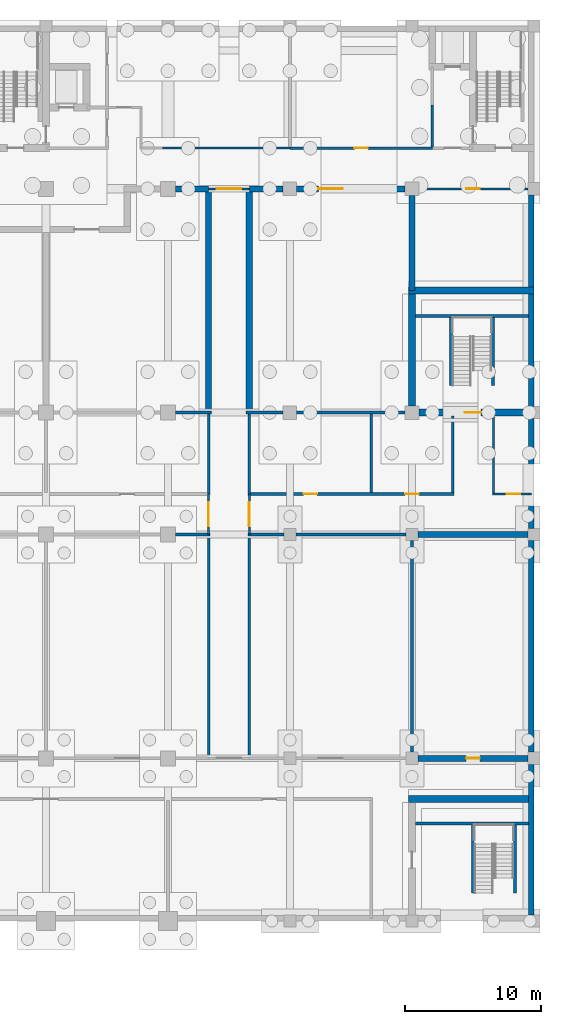
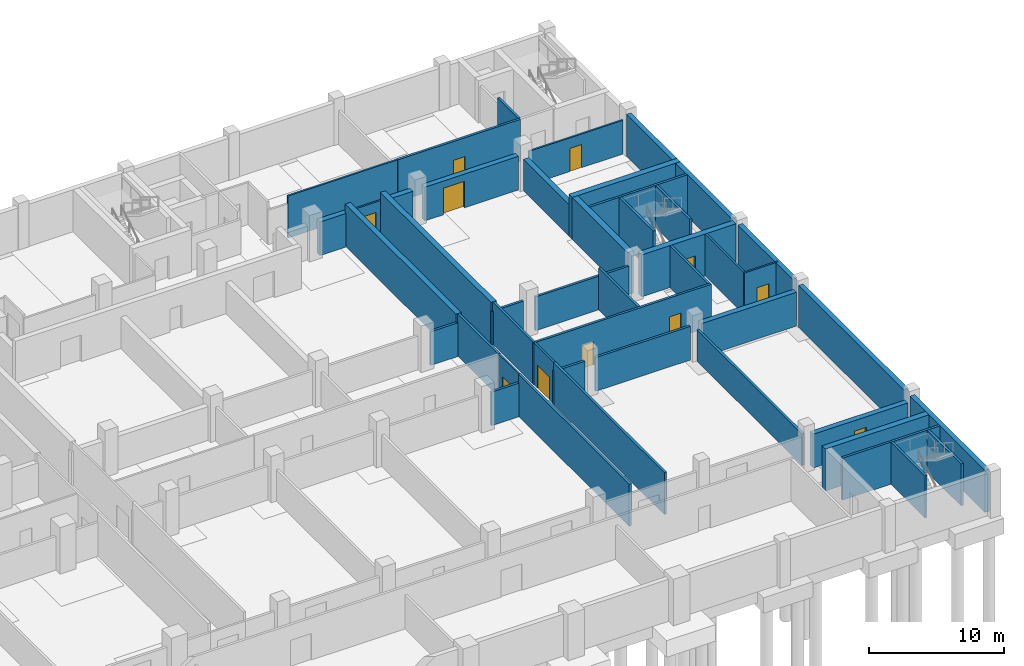
# One storey, part 8 of 15: 45 walls, 11 doors, 11 openings.
"""IFC4 building model written with IfcOpenShell, lengths in metres."""

from ifc_helpers import new_model, si_unit, direction, frame, frame_2d, origin, place, context, subcontext, project, spatial, rectangle, extrude, material, layer, layer_set, type_object, element, fill, save


model = new_model("IFC4")

# Units and contexts
model_context = context("Model", 3, precision=1e-05, world=origin(), true_north=direction((0.0, 1.0)))
body_context = subcontext(model_context, "Body", "Model", "MODEL_VIEW")
ifc_project = project(units=[si_unit("LENGTHUNIT", "METRE"), si_unit("AREAUNIT", "SQUARE_METRE"), si_unit("VOLUMEUNIT", "CUBIC_METRE"), si_unit("PLANEANGLEUNIT", "RADIAN"), si_unit("MASSUNIT", "GRAM", prefix="KILO")], contexts=[model_context])

# Site, building, storey
site_placement = place(None, origin())
site = spatial("IfcSite", under=ifc_project, at=site_placement, CompositionType="ELEMENT")
building_placement = place(site_placement, origin())
building = spatial("IfcBuilding", under=site, at=building_placement, Name="Aurelan Courthouse", CompositionType="ELEMENT")
storey_placement = place(building_placement, frame((0.0, 0.0, -8.39990234375)))
storey = spatial("IfcBuildingStorey", under=building, at=storey_placement, Name="B2", CompositionType="ELEMENT", Elevation=-8.39990234375)

# Wall, opening, door
ifc_material_1 = material(Name="Reinforced concrete block", Category="concrete")
ifc_layer_1 = layer(ifc_material_1, 0.449951171875)
ifc_layer_set_1 = layer_set([ifc_layer_1], Name="Reinforced concrete block")
wall_type_1 = type_object("IfcWallType", Name="Archive fire wall 450 EI 60", PredefinedType="PARTITIONING", material=ifc_layer_set_1)
wall_1_placement = place(storey_placement, frame((81.449951171875, 12.0, 0.0), z_axis=(0.0, 0.0, 1.0), x_axis=(1.0, 0.0, 0.0)))
wall_1 = element("IfcWall", 1, at=wall_1_placement, inside=storey, type_object=wall_type_1, Name="Archive fire wall B2-014", PredefinedType="PARTITIONING", context=body_context, shape_type="SweptSolid", body=[
    extrude(rectangle(XDim=8.10009765625, YDim=0.449951171875, at=frame_2d((4.050048828125, 0.0))), origin(), (0.0, 0.0, 1.0), 3.0498046875),
])
opening_1_placement = place(wall_1_placement, frame((3.550048828125, 0.0, 0.0)))
opening_1 = element("IfcOpeningElement", 2, at=opening_1_placement, cuts=wall_1, Name="Opening D-B2-011", PredefinedType="OPENING", context=body_context, shape_type="SweptSolid", body=[
    extrude(rectangle(XDim=1.0, YDim=2.10009765625, at=frame_2d((0.5, 1.050048828125))), frame((0.0, 0.23486328125, 0.0), z_axis=(0.0, -1.0, 0.0), x_axis=(1.0, 0.0, 0.0)), (0.0, 0.0, 1.0), 0.469970703125),
])
ifc_material_2 = material(Name="Steel", Category="steel")
door_type_1 = type_object("IfcDoorType", Name="Single door 1000 x 2100 FD60", OperationType="SINGLE_SWING_LEFT", PredefinedType="DOOR", material=ifc_material_2)
door_1_placement = place(opening_1_placement, origin())
door_1 = element("IfcDoor", 3, at=door_1_placement, inside=storey, type_object=door_type_1, Name="Single door D-B2-011", OperationType="SINGLE_SWING_RIGHT", OverallHeight=2.10009765625, OverallWidth=1.0, PredefinedType="DOOR", context=body_context, shape_type="SweptSolid", body=[
    extrude(rectangle(XDim=1.0, YDim=2.10009765625, at=frame_2d((0.5, 1.050048828125))), frame((0.0, 0.02490234375, 0.0), z_axis=(0.0, -1.0, 0.0), x_axis=(1.0, 0.0, 0.0)), (0.0, 0.0, 1.0), 0.050048828125),
])
fill(opening_1, door_1)

# Walls
wall_2_placement = place(storey_placement, frame((81.449951171875, 28.5, 0.0), z_axis=(0.0, 0.0, 1.0), x_axis=(1.0, 0.0, 0.0)))
element("IfcWall", 4, at=wall_2_placement, inside=storey, type_object=wall_type_1, Name="Archive fire wall B2-027", PredefinedType="PARTITIONING", context=body_context, shape_type="SweptSolid", body=[
    extrude(rectangle(XDim=8.10009765625, YDim=0.449951171875, at=frame_2d((4.050048828125, 0.0))), origin(), (0.0, 0.0, 1.0), 3.0498046875),
])
wall_3_placement = place(storey_placement, frame((63.550048828125, 54.0, 0.0), z_axis=(0.0, 0.0, 1.0), x_axis=(1.0, 0.0, 0.0)))
element("IfcWall", 5, at=wall_3_placement, inside=storey, type_object=wall_type_1, Name="Archive fire wall B2-056", PredefinedType="PARTITIONING", context=body_context, shape_type="SweptSolid", body=[
    extrude(rectangle(XDim=2.449951171875, YDim=0.449951171875, at=frame_2d((1.22509765625, 0.0))), origin(), (0.0, 0.0, 1.0), 3.0498046875),
])
wall_4_placement = place(storey_placement, frame((69.0, 54.0, 0.0), z_axis=(0.0, 0.0, 1.0), x_axis=(1.0, 0.0, 0.0)))
element("IfcWall", 6, at=wall_4_placement, inside=storey, type_object=wall_type_1, Name="Archive fire wall B2-058", PredefinedType="PARTITIONING", context=body_context, shape_type="SweptSolid", body=[
    extrude(rectangle(XDim=2.5, YDim=0.449951171875, at=frame_2d((1.25, 0.0))), origin(), (0.0, 0.0, 1.0), 3.0498046875),
])

# Wall, opening, door
wall_5_placement = place(storey_placement, frame((72.5, 54.0, 0.0), z_axis=(0.0, 0.0, 1.0), x_axis=(1.0, 0.0, 0.0)))
wall_5 = element("IfcWall", 7, at=wall_5_placement, inside=storey, type_object=wall_type_1, Name="Archive fire wall B2-059", PredefinedType="PARTITIONING", context=body_context, shape_type="SweptSolid", body=[
    extrude(rectangle(XDim=8.0, YDim=0.449951171875, at=frame_2d((4.0, 0.0))), origin(), (0.0, 0.0, 1.0), 3.0498046875),
])
opening_2_placement = place(wall_5_placement, frame((3.400146484375, 0.0, 0.0), z_axis=(0.0, 0.0, 1.0), x_axis=(-1.0, 0.0, 0.0)))
opening_2 = element("IfcOpeningElement", 8, at=opening_2_placement, cuts=wall_5, Name="Opening D-B2-029", PredefinedType="OPENING", context=body_context, shape_type="SweptSolid", body=[
    extrude(rectangle(XDim=1.800048828125, YDim=2.39990234375, at=frame_2d((0.89990234375, 1.199951171875))), frame((0.0, 0.23486328125, 0.0), z_axis=(0.0, -1.0, 0.0), x_axis=(1.0, 0.0, 0.0)), (0.0, 0.0, 1.0), 0.469970703125),
])
door_type_2 = type_object("IfcDoorType", Name="Double door 1800 x 2400 FD60", OperationType="DOUBLE_DOOR_SINGLE_SWING", PredefinedType="DOOR", material=ifc_material_2)
door_2_placement = place(opening_2_placement, origin())
door_2 = element("IfcDoor", 9, at=door_2_placement, inside=storey, type_object=door_type_2, Name="Double door D-B2-029", OperationType="DOUBLE_DOOR_SINGLE_SWING", OverallHeight=2.39990234375, OverallWidth=1.800048828125, PredefinedType="DOOR", context=body_context, shape_type="SweptSolid", body=[
    extrude(rectangle(XDim=1.800048828125, YDim=2.39990234375, at=frame_2d((0.89990234375, 1.199951171875))), frame((0.0, 0.02490234375, 0.0), z_axis=(0.0, -1.0, 0.0), x_axis=(1.0, 0.0, 0.0)), (0.0, 0.0, 1.0), 0.050048828125),
])
fill(opening_2, door_2)

# Walls
for number, where, z_axis, x_axis, name in (
    (10, (66.0, 37.5, 0.0), (0.0, 0.0, 1.0), (0.0, 1.0, 0.0), "Archive fire wall B2-105"),
    (11, (69.0, 37.5, 0.0), (0.0, 0.0, 1.0), (0.0, 1.0, 0.0), "Archive fire wall B2-109"),
):
    element("IfcWall", number, at=place(storey_placement, frame(where, z_axis=z_axis, x_axis=x_axis)), inside=storey, type_object=wall_type_1, Name=name, PredefinedType="PARTITIONING", context=body_context, shape_type="SweptSolid", body=[
        extrude(rectangle(XDim=16.425048828125, YDim=0.449951171875, at=frame_2d((8.21240234375, 0.0))), origin(), (0.0, 0.0, 1.0), 3.7998046875),
    ])
wall_6_placement = place(storey_placement, frame((81.0, 46.5, 0.0), z_axis=(0.0, 0.0, 1.0), x_axis=(0.0, 1.0, 0.0)))
element("IfcWall", 12, at=wall_6_placement, inside=storey, type_object=wall_type_1, Name="Archive fire wall B2-114", PredefinedType="PARTITIONING", context=body_context, shape_type="SweptSolid", body=[
    extrude(rectangle(XDim=7.0, YDim=0.449951171875, at=frame_2d((3.5, 0.0))), origin(), (0.0, 0.0, 1.0), 2.849853515625),
])

# Wall, opening, door
ifc_material_3 = material(Name="Gypsum board on metal studs")
ifc_layer_2 = layer(ifc_material_3, 0.14990234375)
ifc_layer_set_2 = layer_set([ifc_layer_2], Name="Gypsum board on metal studs")
wall_type_2 = type_object("IfcWallType", Name="Corridor partition 150 EI 60", PredefinedType="PARTITIONING", material=ifc_layer_set_2)
wall_7_placement = place(storey_placement, frame((86.925048828125, 31.5, 0.0), z_axis=(0.0, 0.0, 1.0), x_axis=(1.0, 0.0, 0.0)))
wall_7 = element("IfcWall", 13, at=wall_7_placement, inside=storey, type_object=wall_type_2, Name="Corridor partition B2-032", PredefinedType="PARTITIONING", context=body_context, shape_type="SweptSolid", body=[
    extrude(rectangle(XDim=2.875, YDim=0.14990234375, at=frame_2d((1.4375, 0.0))), origin(), (0.0, 0.0, 1.0), 3.7998046875),
])
opening_3_placement = place(wall_7_placement, frame((1.074951171875, 0.0, 0.0)))
opening_3 = element("IfcOpeningElement", 14, at=opening_3_placement, cuts=wall_7, Name="Opening D-B2-017", PredefinedType="OPENING", context=body_context, shape_type="SweptSolid", body=[
    extrude(rectangle(XDim=1.0, YDim=2.10009765625, at=frame_2d((0.5, 1.050048828125))), frame((0.0, 0.0849609375, 0.0), z_axis=(0.0, -1.0, 0.0), x_axis=(1.0, 0.0, 0.0)), (0.0, 0.0, 1.0), 0.169921875),
])
door_3_placement = place(opening_3_placement, origin())
door_3 = element("IfcDoor", 15, at=door_3_placement, inside=storey, type_object=door_type_1, Name="Single door D-B2-017", OperationType="SINGLE_SWING_RIGHT", OverallHeight=2.10009765625, OverallWidth=1.0, PredefinedType="DOOR", context=body_context, shape_type="SweptSolid", body=[
    extrude(rectangle(XDim=1.0, YDim=2.10009765625, at=frame_2d((0.5, 1.050048828125))), frame((0.0, 0.02490234375, 0.0), z_axis=(0.0, -1.0, 0.0), x_axis=(1.0, 0.0, 0.0)), (0.0, 0.0, 1.0), 0.050048828125),
])
fill(opening_3, door_3)

wall_8_placement = place(storey_placement, frame((66.0, 54.0, 0.0), z_axis=(0.0, 0.0, 1.0), x_axis=(1.0, 0.0, 0.0)))
wall_8 = element("IfcWall", 16, at=wall_8_placement, inside=storey, type_object=wall_type_2, Name="Corridor partition B2-057", PredefinedType="PARTITIONING", context=body_context, shape_type="SweptSolid", body=[
    extrude(rectangle(XDim=3.0, YDim=0.14990234375, at=frame_2d((1.5, 0.0))), origin(), (0.0, 0.0, 1.0), 3.0498046875),
])
opening_4_placement = place(wall_8_placement, frame((2.400146484375, 0.0, 0.0), z_axis=(0.0, 0.0, 1.0), x_axis=(-1.0, 0.0, 0.0)))
opening_4 = element("IfcOpeningElement", 17, at=opening_4_placement, cuts=wall_8, Name="Opening D-B2-005", PredefinedType="OPENING", context=body_context, shape_type="SweptSolid", body=[
    extrude(rectangle(XDim=1.800048828125, YDim=2.10009765625, at=frame_2d((0.89990234375, 1.050048828125))), frame((0.0, 0.0849609375, 0.0), z_axis=(0.0, -1.0, 0.0), x_axis=(1.0, 0.0, 0.0)), (0.0, 0.0, 1.0), 0.169921875),
])
door_type_3 = type_object("IfcDoorType", Name="Double door 1800 x 2100 FD60", OperationType="DOUBLE_DOOR_SINGLE_SWING", PredefinedType="DOOR", material=ifc_material_2)
door_4_placement = place(opening_4_placement, origin())
door_4 = element("IfcDoor", 18, at=door_4_placement, inside=storey, type_object=door_type_3, Name="Double door D-B2-005", OperationType="DOUBLE_DOOR_SINGLE_SWING", OverallHeight=2.10009765625, OverallWidth=1.800048828125, PredefinedType="DOOR", context=body_context, shape_type="SweptSolid", body=[
    extrude(rectangle(XDim=1.800048828125, YDim=2.10009765625, at=frame_2d((0.89990234375, 1.050048828125))), frame((0.0, 0.02490234375, 0.0), z_axis=(0.0, -1.0, 0.0), x_axis=(1.0, 0.0, 0.0)), (0.0, 0.0, 1.0), 0.050048828125),
])
fill(opening_4, door_4)

wall_9_placement = place(storey_placement, frame((81.5, 54.0, 0.0), z_axis=(0.0, 0.0, 1.0), x_axis=(1.0, 0.0, 0.0)))
wall_9 = element("IfcWall", 19, at=wall_9_placement, inside=storey, type_object=wall_type_2, Name="Corridor partition B2-060", PredefinedType="PARTITIONING", context=body_context, shape_type="SweptSolid", body=[
    extrude(rectangle(XDim=8.050048828125, YDim=0.14990234375, at=frame_2d((4.02490234375, 0.0))), origin(), (0.0, 0.0, 1.0), 3.0498046875),
])
opening_5_placement = place(wall_9_placement, frame((4.5, 0.0, 0.0), z_axis=(0.0, 0.0, 1.0), x_axis=(-1.0, 0.0, 0.0)))
opening_5 = element("IfcOpeningElement", 20, at=opening_5_placement, cuts=wall_9, Name="Opening D-B2-030", PredefinedType="OPENING", context=body_context, shape_type="SweptSolid", body=[
    extrude(rectangle(XDim=1.0, YDim=2.10009765625, at=frame_2d((0.5, 1.050048828125))), frame((0.0, 0.0849609375, 0.0), z_axis=(0.0, -1.0, 0.0), x_axis=(1.0, 0.0, 0.0)), (0.0, 0.0, 1.0), 0.169921875),
])
door_5_placement = place(opening_5_placement, origin())
door_5 = element("IfcDoor", 21, at=door_5_placement, inside=storey, type_object=door_type_1, Name="Single door D-B2-030", OperationType="SINGLE_SWING_LEFT", OverallHeight=2.10009765625, OverallWidth=1.0, PredefinedType="DOOR", context=body_context, shape_type="SweptSolid", body=[
    extrude(rectangle(XDim=1.0, YDim=2.10009765625, at=frame_2d((0.5, 1.050048828125))), frame((0.0, 0.02490234375, 0.0), z_axis=(0.0, -1.0, 0.0), x_axis=(1.0, 0.0, 0.0)), (0.0, 0.0, 1.0), 0.050048828125),
])
fill(opening_5, door_5)

wall_10_placement = place(storey_placement, frame((66.0, 28.5, 0.0), z_axis=(0.0, 0.0, 1.0), x_axis=(0.0, 1.0, 0.0)))
wall_10 = element("IfcWall", 22, at=wall_10_placement, inside=storey, type_object=wall_type_2, Name="Corridor partition B2-103", PredefinedType="PARTITIONING", context=body_context, shape_type="SweptSolid", body=[
    extrude(rectangle(XDim=3.0, YDim=0.14990234375, at=frame_2d((1.5, 0.0))), origin(), (0.0, 0.0, 1.0), 3.7998046875),
])
opening_6_placement = place(wall_10_placement, frame((2.400146484375, 0.0, 0.0), z_axis=(0.0, 0.0, 1.0), x_axis=(-1.0, 0.0, 0.0)))
opening_6 = element("IfcOpeningElement", 23, at=opening_6_placement, cuts=wall_10, Name="Opening D-B2-008", PredefinedType="OPENING", context=body_context, shape_type="SweptSolid", body=[
    extrude(rectangle(XDim=1.800048828125, YDim=2.10009765625, at=frame_2d((0.89990234375, 1.050048828125))), frame((0.0, 0.0849609375, 0.0), z_axis=(0.0, -1.0, 0.0), x_axis=(1.0, 0.0, 0.0)), (0.0, 0.0, 1.0), 0.169921875),
])
door_6_placement = place(opening_6_placement, origin())
door_6 = element("IfcDoor", 24, at=door_6_placement, inside=storey, type_object=door_type_3, Name="Double door D-B2-008", OperationType="DOUBLE_DOOR_SINGLE_SWING", OverallHeight=2.10009765625, OverallWidth=1.800048828125, PredefinedType="DOOR", context=body_context, shape_type="SweptSolid", body=[
    extrude(rectangle(XDim=1.800048828125, YDim=2.10009765625, at=frame_2d((0.89990234375, 1.050048828125))), frame((0.0, 0.02490234375, 0.0), z_axis=(0.0, -1.0, 0.0), x_axis=(1.0, 0.0, 0.0)), (0.0, 0.0, 1.0), 0.050048828125),
])
fill(opening_6, door_6)

wall_11_placement = place(storey_placement, frame((69.0, 28.5, 0.0), z_axis=(0.0, 0.0, 1.0), x_axis=(0.0, 1.0, 0.0)))
wall_11 = element("IfcWall", 25, at=wall_11_placement, inside=storey, type_object=wall_type_2, Name="Corridor partition B2-107", PredefinedType="PARTITIONING", context=body_context, shape_type="SweptSolid", body=[
    extrude(rectangle(XDim=3.0, YDim=0.14990234375, at=frame_2d((1.5, 0.0))), origin(), (0.0, 0.0, 1.0), 3.7998046875),
])
opening_7_placement = place(wall_11_placement, frame((0.60009765625, 0.0, 0.0)))
opening_7 = element("IfcOpeningElement", 26, at=opening_7_placement, cuts=wall_11, Name="Opening D-B2-009", PredefinedType="OPENING", context=body_context, shape_type="SweptSolid", body=[
    extrude(rectangle(XDim=1.800048828125, YDim=2.10009765625, at=frame_2d((0.89990234375, 1.050048828125))), frame((0.0, 0.0849609375, 0.0), z_axis=(0.0, -1.0, 0.0), x_axis=(1.0, 0.0, 0.0)), (0.0, 0.0, 1.0), 0.169921875),
])
door_7_placement = place(opening_7_placement, origin())
door_7 = element("IfcDoor", 27, at=door_7_placement, inside=storey, type_object=door_type_3, Name="Double door D-B2-009", OperationType="DOUBLE_DOOR_SINGLE_SWING", OverallHeight=2.10009765625, OverallWidth=1.800048828125, PredefinedType="DOOR", context=body_context, shape_type="SweptSolid", body=[
    extrude(rectangle(XDim=1.800048828125, YDim=2.10009765625, at=frame_2d((0.89990234375, 1.050048828125))), frame((0.0, 0.02490234375, 0.0), z_axis=(0.0, -1.0, 0.0), x_axis=(1.0, 0.0, 0.0)), (0.0, 0.0, 1.0), 0.050048828125),
])
fill(opening_7, door_7)

# Walls
wall_12_placement = place(storey_placement, frame((87.0, 31.574951171875, 0.0), z_axis=(0.0, 0.0, 1.0), x_axis=(0.0, 1.0, 0.0)))
element("IfcWall", 28, at=wall_12_placement, inside=storey, type_object=wall_type_2, Name="Corridor partition B2-117", PredefinedType="PARTITIONING", context=body_context, shape_type="SweptSolid", body=[
    extrude(rectangle(XDim=5.675048828125, YDim=0.14990234375, at=frame_2d((2.83740234375, 0.0))), origin(), (0.0, 0.0, 1.0), 3.7998046875),
])
wall_13_placement = place(storey_placement, frame((62.60009765625, 57.0, 0.0), z_axis=(0.0, 0.0, 1.0), x_axis=(1.0, 0.0, 0.0)))
element("IfcWall", 29, at=wall_13_placement, inside=storey, type_object=wall_type_2, Name="Corridor partition B2-065B", PredefinedType="PARTITIONING", context=body_context, shape_type="SweptSolid", body=[
    extrude(rectangle(XDim=9.39990234375, YDim=0.14990234375, at=frame_2d((4.699951171875, 0.0))), origin(), (0.0, 0.0, 1.0), 3.7998046875),
])
ifc_material_4 = material(Name="Masonry block", Category="masonry")
ifc_layer_3 = layer(ifc_material_4, 0.199951171875)
ifc_layer_set_3 = layer_set([ifc_layer_3], Name="Masonry block")
wall_type_3 = type_object("IfcWallType", Name="Plant room wall 200 EI 120", PredefinedType="PARTITIONING", material=ifc_layer_set_3)
wall_14_placement = place(storey_placement, frame((63.550048828125, 28.5, 0.0), z_axis=(0.0, 0.0, 1.0), x_axis=(1.0, 0.0, 0.0)))
element("IfcWall", 30, at=wall_14_placement, inside=storey, type_object=wall_type_3, Name="Plant room wall B2-024", PredefinedType="PARTITIONING", context=body_context, shape_type="SweptSolid", body=[
    extrude(rectangle(XDim=2.550048828125, YDim=0.199951171875, at=frame_2d((1.27490234375, 0.0))), origin(), (0.0, 0.0, 1.0), 3.0498046875),
])
wall_15_placement = place(storey_placement, frame((68.89990234375, 28.5, 0.0), z_axis=(0.0, 0.0, 1.0), x_axis=(1.0, 0.0, 0.0)))
element("IfcWall", 31, at=wall_15_placement, inside=storey, type_object=wall_type_3, Name="Plant room wall B2-025", PredefinedType="PARTITIONING", context=body_context, shape_type="SweptSolid", body=[
    extrude(rectangle(XDim=2.650146484375, YDim=0.199951171875, at=frame_2d((1.3251953125, 0.0))), origin(), (0.0, 0.0, 1.0), 3.0498046875),
])
wall_16_placement = place(storey_placement, frame((72.449951171875, 28.5, 0.0), z_axis=(0.0, 0.0, 1.0), x_axis=(1.0, 0.0, 0.0)))
element("IfcWall", 32, at=wall_16_placement, inside=storey, type_object=wall_type_3, Name="Plant room wall B2-026", PredefinedType="PARTITIONING", context=body_context, shape_type="SweptSolid", body=[
    extrude(rectangle(XDim=8.10009765625, YDim=0.199951171875, at=frame_2d((4.050048828125, 0.0))), origin(), (0.0, 0.0, 1.0), 3.0498046875),
])

# Wall, openings, doors
wall_17_placement = place(storey_placement, frame((68.89990234375, 31.5, 0.0), z_axis=(0.0, 0.0, 1.0), x_axis=(1.0, 0.0, 0.0)))
wall_17 = element("IfcWall", 33, at=wall_17_placement, inside=storey, type_object=wall_type_3, Name="Plant room wall B2-031", PredefinedType="PARTITIONING", context=body_context, shape_type="SweptSolid", body=[
    extrude(rectangle(XDim=15.2001953125, YDim=0.199951171875, at=frame_2d((7.60009765625, 0.0))), origin(), (0.0, 0.0, 1.0), 3.7998046875),
])
opening_8_placement = place(wall_17_placement, frame((4.10009765625, 0.0, 0.0)))
opening_8 = element("IfcOpeningElement", 34, at=opening_8_placement, cuts=wall_17, Name="Opening D-B2-015", PredefinedType="OPENING", context=body_context, shape_type="SweptSolid", body=[
    extrude(rectangle(XDim=1.0, YDim=2.10009765625, at=frame_2d((0.5, 1.050048828125))), frame((0.0, 0.10986328125, 0.0), z_axis=(0.0, -1.0, 0.0), x_axis=(1.0, 0.0, 0.0)), (0.0, 0.0, 1.0), 0.219970703125),
])
opening_9_placement = place(wall_17_placement, frame((11.60009765625, 0.0, 0.0)))
opening_9 = element("IfcOpeningElement", 35, at=opening_9_placement, cuts=wall_17, Name="Opening D-B2-016", PredefinedType="OPENING", context=body_context, shape_type="SweptSolid", body=[
    extrude(rectangle(XDim=1.0, YDim=2.10009765625, at=frame_2d((0.5, 1.050048828125))), frame((0.0, 0.10986328125, 0.0), z_axis=(0.0, -1.0, 0.0), x_axis=(1.0, 0.0, 0.0)), (0.0, 0.0, 1.0), 0.219970703125),
])
door_type_4 = type_object("IfcDoorType", Name="Single door 1000 x 2100 FD90", OperationType="SINGLE_SWING_LEFT", PredefinedType="DOOR", material=ifc_material_2)
door_8_placement = place(opening_8_placement, origin())
door_8 = element("IfcDoor", 36, at=door_8_placement, inside=storey, type_object=door_type_4, Name="Single door D-B2-015", OperationType="SINGLE_SWING_RIGHT", OverallHeight=2.10009765625, OverallWidth=1.0, PredefinedType="DOOR", context=body_context, shape_type="SweptSolid", body=[
    extrude(rectangle(XDim=1.0, YDim=2.10009765625, at=frame_2d((0.5, 1.050048828125))), frame((0.0, 0.02490234375, 0.0), z_axis=(0.0, -1.0, 0.0), x_axis=(1.0, 0.0, 0.0)), (0.0, 0.0, 1.0), 0.050048828125),
])
fill(opening_8, door_8)
door_9_placement = place(opening_9_placement, origin())
door_9 = element("IfcDoor", 37, at=door_9_placement, inside=storey, type_object=door_type_4, Name="Single door D-B2-016", OperationType="SINGLE_SWING_LEFT", OverallHeight=2.10009765625, OverallWidth=1.0, PredefinedType="DOOR", context=body_context, shape_type="SweptSolid", body=[
    extrude(rectangle(XDim=1.0, YDim=2.10009765625, at=frame_2d((0.5, 1.050048828125))), frame((0.0, 0.02490234375, 0.0), z_axis=(0.0, -1.0, 0.0), x_axis=(1.0, 0.0, 0.0)), (0.0, 0.0, 1.0), 0.050048828125),
])
fill(opening_9, door_9)

# Walls
wall_18_placement = place(storey_placement, frame((63.550048828125, 37.5, 0.0), z_axis=(0.0, 0.0, 1.0), x_axis=(1.0, 0.0, 0.0)))
element("IfcWall", 38, at=wall_18_placement, inside=storey, type_object=wall_type_3, Name="Plant room wall B2-043", PredefinedType="PARTITIONING", context=body_context, shape_type="SweptSolid", body=[
    extrude(rectangle(XDim=2.675048828125, YDim=0.199951171875, at=frame_2d((1.33740234375, 0.0))), origin(), (0.0, 0.0, 1.0), 3.0498046875),
])
wall_19_placement = place(storey_placement, frame((68.77490234375, 37.5, 0.0), z_axis=(0.0, 0.0, 1.0), x_axis=(1.0, 0.0, 0.0)))
element("IfcWall", 39, at=wall_19_placement, inside=storey, type_object=wall_type_3, Name="Plant room wall B2-044", PredefinedType="PARTITIONING", context=body_context, shape_type="SweptSolid", body=[
    extrude(rectangle(XDim=2.72509765625, YDim=0.199951171875, at=frame_2d((1.362548828125, 0.0))), origin(), (0.0, 0.0, 1.0), 3.0498046875),
])
wall_20_placement = place(storey_placement, frame((72.5, 37.5, 0.0), z_axis=(0.0, 0.0, 1.0), x_axis=(1.0, 0.0, 0.0)))
element("IfcWall", 40, at=wall_20_placement, inside=storey, type_object=wall_type_3, Name="Plant room wall B2-045", PredefinedType="PARTITIONING", context=body_context, shape_type="SweptSolid", body=[
    extrude(rectangle(XDim=8.0, YDim=0.199951171875, at=frame_2d((4.0, 0.0))), origin(), (0.0, 0.0, 1.0), 3.0498046875),
])

# Wall, opening, door
wall_21_placement = place(storey_placement, frame((72.0, 57.0, 0.0), z_axis=(0.0, 0.0, 1.0), x_axis=(1.0, 0.0, 0.0)))
wall_21 = element("IfcWall", 41, at=wall_21_placement, inside=storey, type_object=wall_type_3, Name="Plant room wall B2-066", PredefinedType="PARTITIONING", context=body_context, shape_type="SweptSolid", body=[
    extrude(rectangle(XDim=10.5, YDim=0.199951171875, at=frame_2d((5.25, 0.0))), origin(), (0.0, 0.0, 1.0), 3.7998046875),
])
opening_10_placement = place(wall_21_placement, frame((4.75, 0.0, 0.0)))
opening_10 = element("IfcOpeningElement", 42, at=opening_10_placement, cuts=wall_21, Name="Opening D-B2-027", PredefinedType="OPENING", context=body_context, shape_type="SweptSolid", body=[
    extrude(rectangle(XDim=1.0, YDim=2.10009765625, at=frame_2d((0.5, 1.050048828125))), frame((0.0, 0.10986328125, 0.0), z_axis=(0.0, -1.0, 0.0), x_axis=(1.0, 0.0, 0.0)), (0.0, 0.0, 1.0), 0.219970703125),
])
door_10_placement = place(opening_10_placement, origin())
door_10 = element("IfcDoor", 43, at=door_10_placement, inside=storey, type_object=door_type_4, Name="Single door D-B2-027", OperationType="SINGLE_SWING_RIGHT", OverallHeight=2.10009765625, OverallWidth=1.0, PredefinedType="DOOR", context=body_context, shape_type="SweptSolid", body=[
    extrude(rectangle(XDim=1.0, YDim=2.10009765625, at=frame_2d((0.5, 1.050048828125))), frame((0.0, 0.02490234375, 0.0), z_axis=(0.0, -1.0, 0.0), x_axis=(1.0, 0.0, 0.0)), (0.0, 0.0, 1.0), 0.050048828125),
])
fill(opening_10, door_10)

# Walls
wall_22_placement = place(storey_placement, frame((66.0, 12.074951171875, 0.0), z_axis=(0.0, 0.0, 1.0), x_axis=(0.0, 1.0, 0.0)))
element("IfcWall", 44, at=wall_22_placement, inside=storey, type_object=wall_type_3, Name="Plant room wall B2-102", PredefinedType="PARTITIONING", context=body_context, shape_type="SweptSolid", body=[
    extrude(rectangle(XDim=16.425048828125, YDim=0.199951171875, at=frame_2d((8.21240234375, 0.0))), origin(), (0.0, 0.0, 1.0), 3.7998046875),
])
wall_23_placement = place(storey_placement, frame((66.0, 31.5, 0.0), z_axis=(0.0, 0.0, 1.0), x_axis=(0.0, 1.0, 0.0)))
element("IfcWall", 45, at=wall_23_placement, inside=storey, type_object=wall_type_3, Name="Plant room wall B2-104", PredefinedType="PARTITIONING", context=body_context, shape_type="SweptSolid", body=[
    extrude(rectangle(XDim=6.0, YDim=0.199951171875, at=frame_2d((3.0, 0.0))), origin(), (0.0, 0.0, 1.0), 3.7998046875),
])
wall_24_placement = place(storey_placement, frame((69.0, 12.074951171875, 0.0), z_axis=(0.0, 0.0, 1.0), x_axis=(0.0, 1.0, 0.0)))
element("IfcWall", 46, at=wall_24_placement, inside=storey, type_object=wall_type_3, Name="Plant room wall B2-106", PredefinedType="PARTITIONING", context=body_context, shape_type="SweptSolid", body=[
    extrude(rectangle(XDim=16.425048828125, YDim=0.199951171875, at=frame_2d((8.21240234375, 0.0))), origin(), (0.0, 0.0, 1.0), 3.7998046875),
])
wall_25_placement = place(storey_placement, frame((69.0, 31.5, 0.0), z_axis=(0.0, 0.0, 1.0), x_axis=(0.0, 1.0, 0.0)))
element("IfcWall", 47, at=wall_25_placement, inside=storey, type_object=wall_type_3, Name="Plant room wall B2-108", PredefinedType="PARTITIONING", context=body_context, shape_type="SweptSolid", body=[
    extrude(rectangle(XDim=6.0, YDim=0.199951171875, at=frame_2d((3.0, 0.0))), origin(), (0.0, 0.0, 1.0), 3.7998046875),
])
wall_26_placement = place(storey_placement, frame((78.0, 31.60009765625, 0.0), z_axis=(0.0, 0.0, 1.0), x_axis=(0.0, 1.0, 0.0)))
element("IfcWall", 48, at=wall_26_placement, inside=storey, type_object=wall_type_3, Name="Plant room wall B2-112", PredefinedType="PARTITIONING", context=body_context, shape_type="SweptSolid", body=[
    extrude(rectangle(XDim=5.7998046875, YDim=0.199951171875, at=frame_2d((2.89990234375, 0.0))), origin(), (0.0, 0.0, 1.0), 3.7998046875),
])
wall_27_placement = place(storey_placement, frame((81.0, 12.449951171875, 0.0), z_axis=(0.0, 0.0, 1.0), x_axis=(0.0, 1.0, 0.0)))
element("IfcWall", 49, at=wall_27_placement, inside=storey, type_object=wall_type_3, Name="Plant room wall B2-113", PredefinedType="PARTITIONING", context=body_context, shape_type="SweptSolid", body=[
    extrude(rectangle(XDim=15.60009765625, YDim=0.199951171875, at=frame_2d((7.800048828125, 0.0))), origin(), (0.0, 0.0, 1.0), 2.849853515625),
])
wall_28_placement = place(storey_placement, frame((82.5, 57.10009765625, 0.0), z_axis=(0.0, 0.0, 1.0), x_axis=(0.0, 1.0, 0.0)))
element("IfcWall", 50, at=wall_28_placement, inside=storey, type_object=wall_type_3, Name="Plant room wall B2-115", PredefinedType="PARTITIONING", context=body_context, shape_type="SweptSolid", body=[
    extrude(rectangle(XDim=3.074951171875, YDim=0.199951171875, at=frame_2d((1.53759765625, 0.0))), origin(), (0.0, 0.0, 1.0), 3.7998046875),
])
wall_29_placement = place(storey_placement, frame((84.0, 31.60009765625, 0.0), z_axis=(0.0, 0.0, 1.0), x_axis=(0.0, 1.0, 0.0)))
element("IfcWall", 51, at=wall_29_placement, inside=storey, type_object=wall_type_3, Name="Plant room wall B2-116", PredefinedType="PARTITIONING", context=body_context, shape_type="SweptSolid", body=[
    extrude(rectangle(XDim=5.64990234375, YDim=0.199951171875, at=frame_2d((2.824951171875, 0.0))), origin(), (0.0, 0.0, 1.0), 3.7998046875),
])
ifc_material_5 = material(Name="Concrete C50", Category="concrete")
ifc_layer_4 = layer(ifc_material_5, 0.39990234375)
ifc_layer_set_4 = layer_set([ifc_layer_4], Name="Concrete C50")
wall_type_4 = type_object("IfcWallType", Name="RC retaining wall 400", PredefinedType="SOLIDWALL", material=ifc_layer_set_4)
wall_30_placement = place(storey_placement, frame((89.800048828125, 0.449951171875, 0.0), z_axis=(0.0, 0.0, 1.0), x_axis=(0.0, 1.0, 0.0)))
element("IfcWall", 52, at=wall_30_placement, inside=storey, type_object=wall_type_4, Name="Retaining wall SW-B2-013", PredefinedType="SOLIDWALL", context=body_context, shape_type="SweptSolid", body=[
    extrude(rectangle(XDim=11.10009765625, YDim=0.39990234375, at=frame_2d((5.550048828125, 0.0))), origin(), (0.0, 0.0, 1.0), 3.7998046875),
])
wall_31_placement = place(storey_placement, frame((89.800048828125, 12.449951171875, 0.0), z_axis=(0.0, 0.0, 1.0), x_axis=(0.0, 1.0, 0.0)))
element("IfcWall", 53, at=wall_31_placement, inside=storey, type_object=wall_type_4, Name="Retaining wall SW-B2-018", PredefinedType="SOLIDWALL", context=body_context, shape_type="SweptSolid", body=[
    extrude(rectangle(XDim=15.60009765625, YDim=0.39990234375, at=frame_2d((7.800048828125, 0.0))), origin(), (0.0, 0.0, 1.0), 3.7998046875),
])
wall_32_placement = place(storey_placement, frame((89.800048828125, 28.949951171875, 0.0), z_axis=(0.0, 0.0, 1.0), x_axis=(0.0, 1.0, 0.0)))
element("IfcWall", 54, at=wall_32_placement, inside=storey, type_object=wall_type_4, Name="Retaining wall SW-B2-027", PredefinedType="SOLIDWALL", context=body_context, shape_type="SweptSolid", body=[
    extrude(rectangle(XDim=8.10009765625, YDim=0.39990234375, at=frame_2d((4.050048828125, 0.0))), origin(), (0.0, 0.0, 1.0), 3.7998046875),
])
wall_33_placement = place(storey_placement, frame((89.800048828125, 37.949951171875, 0.0), z_axis=(0.0, 0.0, 1.0), x_axis=(0.0, 1.0, 0.0)))
element("IfcWall", 55, at=wall_33_placement, inside=storey, type_object=wall_type_4, Name="Retaining wall SW-B2-030", PredefinedType="SOLIDWALL", context=body_context, shape_type="SweptSolid", body=[
    extrude(rectangle(XDim=15.60009765625, YDim=0.39990234375, at=frame_2d((7.800048828125, 0.0))), origin(), (0.0, 0.0, 1.0), 3.7998046875),
])
ifc_layer_5 = layer(ifc_material_5, 0.5)
ifc_layer_set_5 = layer_set([ifc_layer_5], Name="Concrete C50")
wall_type_5 = type_object("IfcWallType", Name="RC shear wall 500", PredefinedType="SHEAR", material=ifc_layer_set_5)
wall_34_placement = place(storey_placement, frame((80.75, 9.0, 0.0), z_axis=(0.0, 0.0, 1.0), x_axis=(1.0, 0.0, 0.0)))
element("IfcWall", 56, at=wall_34_placement, inside=storey, type_object=wall_type_5, Name="Core wall SW-B2-016", PredefinedType="SHEAR", context=body_context, shape_type="SweptSolid", body=[
    extrude(rectangle(XDim=9.25, YDim=0.5, at=frame_2d((4.625, 0.0))), origin(), (0.0, 0.0, 1.0), 3.7998046875),
])

# Wall, opening, door
wall_35_placement = place(storey_placement, frame((81.5, 37.5, 0.0), z_axis=(0.0, 0.0, 1.0), x_axis=(1.0, 0.0, 0.0)))
wall_35 = element("IfcWall", 57, at=wall_35_placement, inside=storey, type_object=wall_type_5, Name="Core wall SW-B2-028", PredefinedType="SHEAR", context=body_context, shape_type="SweptSolid", body=[
    extrude(rectangle(XDim=8.050048828125, YDim=0.5, at=frame_2d((4.02490234375, 0.0))), origin(), (0.0, 0.0, 1.0), 3.7998046875),
])
opening_11_placement = place(wall_35_placement, frame((3.39990234375, 0.0, 0.0)))
opening_11 = element("IfcOpeningElement", 58, at=opening_11_placement, cuts=wall_35, Name="Opening D-B2-046", PredefinedType="OPENING", context=body_context, shape_type="SweptSolid", body=[
    extrude(rectangle(XDim=1.199951171875, YDim=2.10009765625, at=frame_2d((0.60009765625, 1.050048828125))), frame((0.0, 0.260009765625, 0.0), z_axis=(0.0, -1.0, 0.0), x_axis=(1.0, 0.0, 0.0)), (0.0, 0.0, 1.0), 0.52001953125),
])
door_type_5 = type_object("IfcDoorType", Name="Single door 1200 x 2100 FD90", OperationType="SINGLE_SWING_LEFT", PredefinedType="DOOR", material=ifc_material_2)
door_11_placement = place(opening_11_placement, origin())
door_11 = element("IfcDoor", 59, at=door_11_placement, inside=storey, type_object=door_type_5, Name="Single door D-B2-046", OperationType="SINGLE_SWING_RIGHT", OverallHeight=2.10009765625, OverallWidth=1.199951171875, PredefinedType="DOOR", context=body_context, shape_type="SweptSolid", body=[
    extrude(rectangle(XDim=1.199951171875, YDim=2.10009765625, at=frame_2d((0.60009765625, 1.050048828125))), frame((0.0, 0.02490234375, 0.0), z_axis=(0.0, -1.0, 0.0), x_axis=(1.0, 0.0, 0.0)), (0.0, 0.0, 1.0), 0.050048828125),
])
fill(opening_11, door_11)

# Walls
wall_36_placement = place(storey_placement, frame((81.0, 38.0, 0.0), z_axis=(0.0, 0.0, 1.0), x_axis=(0.0, 1.0, 0.0)))
element("IfcWall", 60, at=wall_36_placement, inside=storey, type_object=wall_type_5, Name="Core wall SW-B2-031", PredefinedType="SHEAR", context=body_context, shape_type="SweptSolid", body=[
    extrude(rectangle(XDim=8.25, YDim=0.5, at=frame_2d((4.125, 0.0))), origin(), (0.0, 0.0, 1.0), 3.7998046875),
])
wall_37_placement = place(storey_placement, frame((80.75, 46.5, 0.0), z_axis=(0.0, 0.0, 1.0), x_axis=(1.0, 0.0, 0.0)))
element("IfcWall", 61, at=wall_37_placement, inside=storey, type_object=wall_type_5, Name="Core wall SW-B2-032", PredefinedType="SHEAR", context=body_context, shape_type="SweptSolid", body=[
    extrude(rectangle(XDim=9.25, YDim=0.5, at=frame_2d((4.625, 0.0))), origin(), (0.0, 0.0, 1.0), 3.7998046875),
])
ifc_material_6 = material(Name="Concrete C30", Category="concrete")
ifc_layer_6 = layer(ifc_material_6, 0.199951171875)
ifc_layer_set_6 = layer_set([ifc_layer_6], Name="Concrete C30")
wall_type_6 = type_object("IfcWallType", Name="Stair well wall 200 EI 120 load-bearing", PredefinedType="SHEAR", material=ifc_layer_set_6)
for number, where, z_axis, x_axis, name in (
    (62, (85.489990234375, 2.054931640625, 0.0), (0.0, 0.0, 1.0), (0.0, 1.0, 0.0), "Stair well wall BS-2-B2 A"),
    (63, (88.590087890625, 2.054931640625, 0.0), (0.0, 0.0, 1.0), (0.0, 1.0, 0.0), "Stair well wall BS-2-B2 B"),
):
    element("IfcWall", number, at=place(storey_placement, frame(where, z_axis=z_axis, x_axis=x_axis)), inside=storey, type_object=wall_type_6, Name=name, PredefinedType="SHEAR", context=body_context, shape_type="SweptSolid", body=[
        extrude(rectangle(XDim=5.0400390625, YDim=0.199951171875, at=frame_2d((2.52001953125, 0.0))), origin(), (0.0, 0.0, 1.0), 3.7998046875),
    ])
wall_38_placement = place(storey_placement, frame((81.25, 7.195068359375, 0.0), z_axis=(0.0, 0.0, 1.0), x_axis=(1.0, 0.0, 0.0)))
element("IfcWall", 64, at=wall_38_placement, inside=storey, type_object=wall_type_6, Name="Stair well wall BS-2-B2 C", PredefinedType="SHEAR", context=body_context, shape_type="SweptSolid", body=[
    extrude(rectangle(XDim=8.35009765625, YDim=0.199951171875, at=frame_2d((4.175048828125, 0.0))), origin(), (0.0, 0.0, 1.0), 3.7998046875),
])
for number, where, z_axis, x_axis, name in (
    (65, (83.875, 39.47998046875, 0.0), (0.0, 0.0, 1.0), (0.0, 1.0, 0.0), "Stair well wall BS-4-B2 A"),
    (66, (86.97509765625, 39.47998046875, 0.0), (0.0, 0.0, 1.0), (0.0, 1.0, 0.0), "Stair well wall BS-4-B2 B"),
):
    element("IfcWall", number, at=place(storey_placement, frame(where, z_axis=z_axis, x_axis=x_axis)), inside=storey, type_object=wall_type_6, Name=name, PredefinedType="SHEAR", context=body_context, shape_type="SweptSolid", body=[
        extrude(rectangle(XDim=5.0400390625, YDim=0.199951171875, at=frame_2d((2.52001953125, 0.0))), origin(), (0.0, 0.0, 1.0), 3.7998046875),
    ])
wall_39_placement = place(storey_placement, frame((81.25, 44.6201171875, 0.0), z_axis=(0.0, 0.0, 1.0), x_axis=(1.0, 0.0, 0.0)))
element("IfcWall", 67, at=wall_39_placement, inside=storey, type_object=wall_type_6, Name="Stair well wall BS-4-B2 C", PredefinedType="SHEAR", context=body_context, shape_type="SweptSolid", body=[
    extrude(rectangle(XDim=8.35009765625, YDim=0.199951171875, at=frame_2d((4.175048828125, 0.0))), origin(), (0.0, 0.0, 1.0), 3.7998046875),
])

save(model, "model.ifc")
